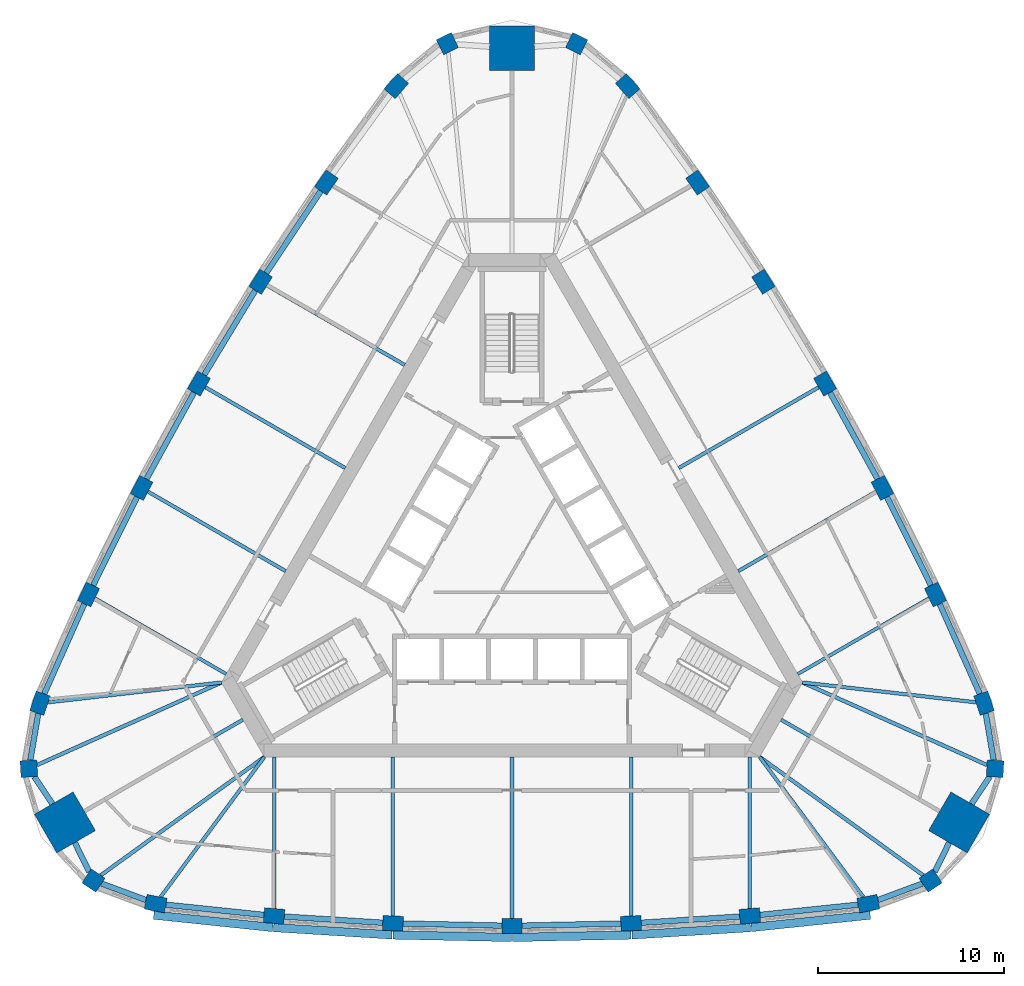
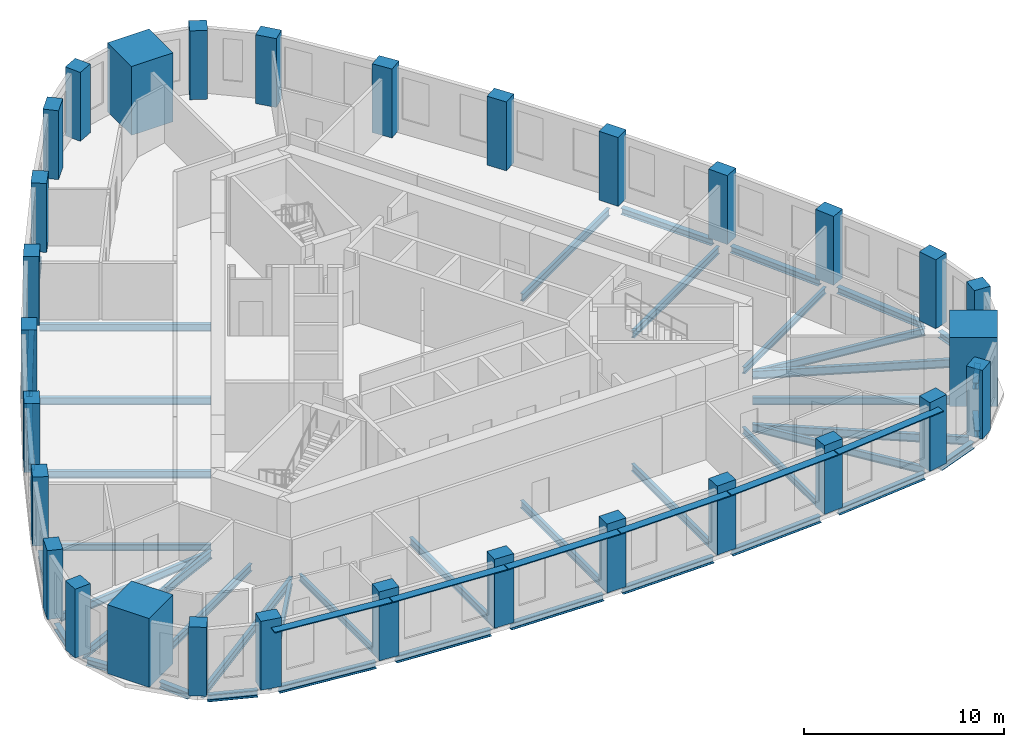
# One storey, part 1 of 10: 44 beams, 30 columns, 6 members.
"""IFC4 building model written with IfcOpenShell, lengths in metres."""

from ifc_helpers import new_model, si_unit, direction, frame, origin, origin_2d, place, context, subcontext, project, spatial, rectangle, i_section, extrude, material, material_profile, profile_set, type_object, element, save


model = new_model("IFC4")

# Units and contexts
model_context = context("Model", 3, precision=1e-05, world=origin(), true_north=direction((0.0, 1.0)))
body_context = subcontext(model_context, "Body", "Model", "MODEL_VIEW")
ifc_project = project(units=[si_unit("LENGTHUNIT", "METRE"), si_unit("AREAUNIT", "SQUARE_METRE"), si_unit("VOLUMEUNIT", "CUBIC_METRE"), si_unit("PLANEANGLEUNIT", "RADIAN"), si_unit("MASSUNIT", "GRAM", prefix="KILO")], contexts=[model_context])

# Site, building, storey
site_placement = place(None, origin())
site = spatial("IfcSite", under=ifc_project, at=site_placement, CompositionType="ELEMENT")
building_placement = place(site_placement, origin())
building = spatial("IfcBuilding", under=site, at=building_placement, Name="Mestral Congress Tower", CompositionType="ELEMENT")
storey_placement = place(building_placement, frame((0.0, 0.0, 247.800048828125)))
storey = spatial("IfcBuildingStorey", under=building, at=storey_placement, Name="L58", CompositionType="ELEMENT", Elevation=247.800048828125)

# Columns
ifc_material_1 = material(Name="Concrete C60/75", Category="concrete")
ifc_material_profile_1 = material_profile(ifc_material_1, rectangle(XDim=1.10009765625, YDim=0.800048828125, at=origin_2d()), Name="RC 1100x800")
ifc_profile_set_1 = profile_set([ifc_material_profile_1], Name="Concrete C60/75")
column_type_1 = type_object("IfcColumnType", Name="Column RC 1100x800 C60/75", PredefinedType="COLUMN", material=ifc_profile_set_1)
for number, where, z_axis, x_axis, name in (
    (1, (-19.150390625, -18.23681640625, 0.0), (0.0, 0.0, 1.0), (0.981324571854, -0.192359259395, 0.0), "COL-L58-C4-S00"),
    (2, (-12.785400390625, -18.899658203125, 0.0), (0.0, 0.0, 1.0), (0.996556680667, -0.082914306473, 0.0), "COL-L58-C4-S01"),
    (3, (-6.398193359375, -19.2978515625, 0.0), (0.0, 0.0, 1.0), (0.999138835542, -0.041492015025, 0.0), "COL-L58-C4-S02"),
    (4, (0.0, -19.4306640625, 0.0), (0.0, 0.0, 1.0), (1.0, 0.0, 0.0), "COL-L58-C4-S03"),
    (5, (6.398193359375, -19.2978515625, 0.0), (0.0, 0.0, 1.0), (0.999138835542, 0.041492015025, 0.0), "COL-L58-C4-S04"),
    (6, (12.785400390625, -18.899658203125, 0.0), (0.0, 0.0, 1.0), (0.996556680667, 0.082914306473, 0.0), "COL-L58-C4-S05"),
    (7, (19.150390625, -18.23681640625, 0.0), (0.0, 0.0, 1.0), (0.981324571854, 0.192359259395, 0.0), "COL-L58-C4-S06"),
    (8, (25.368896484375, -7.46630859375, 0.0), (0.0, 0.0, 1.0), (-0.324074280638, 0.946031638281, 0.0), "COL-L58-C4-E00"),
    (9, (22.76025390625, -1.62255859375, 0.0), (0.0, 0.0, 1.0), (-0.426472444591, 0.904500555005, 0.0), "COL-L58-C4-E01"),
    (10, (19.91162109375, 4.10791015625, 0.0), (0.0, 0.0, 1.0), (-0.463636278705, 0.886025621, 0.0), "COL-L58-C4-E02"),
    (11, (16.827392578125, 9.71533203125, 0.0), (0.0, 0.0, 1.0), (-0.5, 0.866025403784, 0.0), "COL-L58-C4-E03"),
    (12, (13.51318359375, 15.18994140625, 0.0), (0.0, 0.0, 1.0), (-0.535502556837, 0.844533605975, 0.0), "COL-L58-C4-E04"),
    (13, (9.974853515625, 20.522216796875, 0.0), (0.0, 0.0, 1.0), (-0.570084236076, 0.821586248532, 0.0), "COL-L58-C4-E05"),
    (14, (6.218505859375, 25.703125, 0.0), (0.0, 0.0, 1.0), (-0.657250291216, 0.753672378886, 0.0), "COL-L58-C4-E06"),
    (15, (-6.218505859375, 25.703125, 0.0), (0.0, 0.0, 1.0), (-0.657250291216, -0.753672378886, 0.0), "COL-L58-C4-W00"),
    (16, (-9.974853515625, 20.522216796875, 0.0), (0.0, 0.0, 1.0), (-0.570084236076, -0.821586248532, 0.0), "COL-L58-C4-W01"),
    (17, (-13.51318359375, 15.18994140625, 0.0), (0.0, 0.0, 1.0), (-0.535502556837, -0.844533605975, 0.0), "COL-L58-C4-W02"),
    (18, (-16.827392578125, 9.71533203125, 0.0), (0.0, 0.0, 1.0), (-0.5, -0.866025403784, 0.0), "COL-L58-C4-W03"),
    (19, (-19.91162109375, 4.10791015625, 0.0), (0.0, 0.0, 1.0), (-0.463636278705, -0.886025621, 0.0), "COL-L58-C4-W04"),
    (20, (-22.76025390625, -1.62255859375, 0.0), (0.0, 0.0, 1.0), (-0.426472444591, -0.904500555005, 0.0), "COL-L58-C4-W05"),
    (21, (-25.368896484375, -7.46630859375, 0.0), (0.0, 0.0, 1.0), (-0.324074280638, -0.946031638281, 0.0), "COL-L58-C4-W06"),
):
    element("IfcColumn", number, at=place(storey_placement, frame(where, z_axis=z_axis, x_axis=x_axis)), inside=storey, type_object=column_type_1, Name=name, PredefinedType="COLUMN", context=body_context, shape_type="SweptSolid", body=[
        extrude(rectangle(XDim=1.10009765625, YDim=0.800048828125, at=origin_2d()), origin(), (0.0, 0.0, 1.0), 4.199951171875),
    ])
ifc_material_profile_2 = material_profile(ifc_material_1, rectangle(XDim=0.89990234375, YDim=0.89990234375, at=origin_2d()), Name="RC 900x900")
ifc_profile_set_2 = profile_set([ifc_material_profile_2], Name="Concrete C60/75")
column_type_2 = type_object("IfcColumnType", Name="Column RC 900x900 C60/75", PredefinedType="COLUMN", material=ifc_profile_set_2)
for number, where, z_axis, x_axis, name in (
    (22, (22.494384765625, -16.99658203125, 0.0), (0.0, 0.0, 1.0), (0.833238868178, 0.552913183563, 0.0), "COL-L58-C4-SE1"),
    (23, (25.966552734375, -10.982421875, 0.0), (0.0, 0.0, 1.0), (0.062217428964, 0.998062619044, 0.0), "COL-L58-C4-SE3"),
    (24, (3.47216796875, 27.97900390625, 0.0), (0.0, 0.0, 1.0), (-0.895456297142, 0.445149435481, 0.0), "COL-L58-C4-N1"),
    (25, (-3.47216796875, 27.97900390625, 0.0), (0.0, 0.0, 1.0), (-0.895456297142, -0.445149435481, 0.0), "COL-L58-C4-N3"),
    (26, (-25.966552734375, -10.982421875, 0.0), (0.0, 0.0, 1.0), (0.062217428964, -0.998062619044, 0.0), "COL-L58-C4-SW1"),
    (27, (-22.494384765625, -16.99658203125, 0.0), (0.0, 0.0, 1.0), (0.833238868178, -0.552913183563, 0.0), "COL-L58-C4-SW3"),
):
    element("IfcColumn", number, at=place(storey_placement, frame(where, z_axis=z_axis, x_axis=x_axis)), inside=storey, type_object=column_type_2, Name=name, PredefinedType="COLUMN", context=body_context, shape_type="SweptSolid", body=[
        extrude(rectangle(XDim=0.89990234375, YDim=0.89990234375, at=origin_2d()), origin(), (0.0, 0.0, 1.0), 4.199951171875),
    ])
ifc_material_2 = material(Name="Concrete C70/85", Category="concrete")
ifc_material_profile_3 = material_profile(ifc_material_2, rectangle(XDim=2.39990234375, YDim=2.39990234375, at=origin_2d()), Name="RC 2400x2400")
ifc_profile_set_3 = profile_set([ifc_material_profile_3], Name="Concrete C70/85")
column_type_3 = type_object("IfcColumnType", Name="Mega column RC 2400x2400 C70/85", PredefinedType="COLUMN", material=ifc_profile_set_3)
for number, where, z_axis, x_axis, name in (
    (28, (24.02734375, -13.872314453125, 0.0), (0.0, 0.0, 1.0), (0.866025403784, -0.5, 0.0), "COL-L58-PY4-SE"),
    (29, (0.0, 27.744384765625, 0.0), (0.0, 0.0, 1.0), (0.0, 1.0, 0.0), "COL-L58-PY4-N"),
    (30, (-24.02734375, -13.872314453125, 0.0), (0.0, 0.0, 1.0), (-0.866025403784, -0.5, 0.0), "COL-L58-PY4-SW"),
):
    element("IfcColumn", number, at=place(storey_placement, frame(where, z_axis=z_axis, x_axis=x_axis)), inside=storey, type_object=column_type_3, Name=name, PredefinedType="COLUMN", context=body_context, shape_type="SweptSolid", body=[
        extrude(rectangle(XDim=2.39990234375, YDim=2.39990234375, at=origin_2d()), origin(), (0.0, 0.0, 1.0), 4.199951171875),
    ])

# Members
ifc_material_3 = material(Name="Glazed ceramic", Category="masonry")
ifc_material_profile_4 = material_profile(ifc_material_3, rectangle(XDim=0.449951171875, YDim=0.06005859375, at=origin_2d()), Name="Ceramic blade 450 x 60")
ifc_profile_set_4 = profile_set([ifc_material_profile_4], Name="Glazed ceramic")
member_type = type_object("IfcMemberType", Name="Facade sunshade blade 450 x 60", PredefinedType="USERDEFINED", material=ifc_profile_set_4)
member_1_placement = place(storey_placement, frame((-19.251708984375, -18.8544921875, 3.679931640625), z_axis=(0.994617919471, -0.103610782581, 0.0), x_axis=(0.103610782581, 0.994617919471, 0.0)))
element("IfcMember", 31, at=member_1_placement, inside=storey, type_object=member_type, Name="Sunshade F0-00", ObjectType="SUNSHADE", PredefinedType="USERDEFINED", context=body_context, shape_type="SweptSolid", body=[
    extrude(rectangle(XDim=0.449951171875, YDim=0.06005859375, at=origin_2d()), origin(), (0.0, 0.0, 1.0), 6.42578125),
])
member_2_placement = place(storey_placement, frame((-12.8134765625, -19.524169921875, 3.679931640625), z_axis=(0.99806373271, -0.062199561482, 0.0), x_axis=(0.062199561482, 0.99806373271, 0.0)))
element("IfcMember", 32, at=member_2_placement, inside=storey, type_object=member_type, Name="Sunshade F0-01", ObjectType="SUNSHADE", PredefinedType="USERDEFINED", context=body_context, shape_type="SweptSolid", body=[
    extrude(rectangle(XDim=0.449951171875, YDim=0.06005859375, at=origin_2d()), origin(), (0.0, 0.0, 1.0), 6.37841796875),
])
for number, where, z_axis, x_axis, name in (
    (33, (-6.400390625, -19.9228515625, 3.679931640625), (0.99978476383, -0.0207467109, 0.0), (0.0207467109, 0.99978476383, 0.0), "Sunshade F0-02"),
    (34, (0.023681640625, -20.05517578125, 3.679931640625), (0.99978476383, 0.0207467109, 0.0), (-0.0207467109, 0.99978476383, 0.0), "Sunshade F0-03"),
):
    element("IfcMember", number, at=place(storey_placement, frame(where, z_axis=z_axis, x_axis=x_axis)), inside=storey, type_object=member_type, Name=name, ObjectType="SUNSHADE", PredefinedType="USERDEFINED", context=body_context, shape_type="SweptSolid", body=[
        extrude(rectangle(XDim=0.449951171875, YDim=0.06005859375, at=origin_2d()), origin(), (0.0, 0.0, 1.0), 6.378173828125),
    ])
member_3_placement = place(storey_placement, frame((6.447509765625, -19.9208984375, 3.679931640625), z_axis=(0.99806373271, 0.062199561482, 0.0), x_axis=(-0.062199561482, 0.99806373271, 0.0)))
element("IfcMember", 35, at=member_3_placement, inside=storey, type_object=member_type, Name="Sunshade F0-04", ObjectType="SUNSHADE", PredefinedType="USERDEFINED", context=body_context, shape_type="SweptSolid", body=[
    extrude(rectangle(XDim=0.449951171875, YDim=0.06005859375, at=origin_2d()), origin(), (0.0, 0.0, 1.0), 6.37841796875),
])
member_4_placement = place(storey_placement, frame((12.860595703125, -19.520263671875, 3.679931640625), z_axis=(0.994617919471, 0.103610782581, 0.0), x_axis=(-0.103610782581, 0.994617919471, 0.0)))
element("IfcMember", 36, at=member_4_placement, inside=storey, type_object=member_type, Name="Sunshade F0-05", ObjectType="SUNSHADE", PredefinedType="USERDEFINED", context=body_context, shape_type="SweptSolid", body=[
    extrude(rectangle(XDim=0.449951171875, YDim=0.06005859375, at=origin_2d()), origin(), (0.0, 0.0, 1.0), 6.42578125),
])

# Beams
ifc_material_4 = material(Name="Steel S355", Category="steel")
ifc_material_profile_5 = material_profile(ifc_material_4, i_section(OverallWidth=0.179931640625, OverallDepth=0.39990234375, WebThickness=0.008544921875, FlangeThickness=0.013427734375, FilletRadius=0.02099609375, at=origin_2d()), Name="IPE 400")
ifc_profile_set_5 = profile_set([ifc_material_profile_5], Name="Steel S355")
beam_type_1 = type_object("IfcBeamType", Name="Floor beam IPE 400 S355", PredefinedType="BEAM", material=ifc_profile_set_5)
for number, where, z_axis, x_axis, name in (
    (37, (-12.785400390625, -18.498291015625, -0.449951171875), (0.0, 1.0, 0.0), (-1.0, 0.0, 0.0), "BM-L58-RB4-S01"),
    (38, (12.785400390625, -18.498291015625, -0.449951171875), (0.0, 1.0, 0.0), (-1.0, 0.0, 0.0), "BM-L58-RB4-S05"),
):
    element("IfcBeam", number, at=place(storey_placement, frame(where, z_axis=z_axis, x_axis=x_axis)), inside=storey, type_object=beam_type_1, Name=name, PredefinedType="BEAM", context=body_context, shape_type="SweptSolid", body=[
        extrude(i_section(OverallWidth=0.179931640625, OverallDepth=0.39990234375, WebThickness=0.008544921875, FlangeThickness=0.013427734375, FilletRadius=0.02099609375, at=origin_2d()), origin(), (0.0, 0.0, 1.0), 8.148193359375),
    ])
for number, where, z_axis, x_axis, name in (
    (39, (22.41259765625, -1.8232421875, -0.449951171875), (-0.866021929094, -0.500006018292, 0.0), (0.500006018292, -0.866021929094, 0.0), "BM-L58-RB4-E01"),
    (40, (-22.41259765625, -1.8232421875, -0.449951171875), (0.866021929094, -0.500006018292, 0.0), (0.500006018292, 0.866021929094, 0.0), "BM-L58-RB4-W05"),
):
    element("IfcBeam", number, at=place(storey_placement, frame(where, z_axis=z_axis, x_axis=x_axis)), inside=storey, type_object=beam_type_1, Name=name, PredefinedType="BEAM", context=body_context, shape_type="SweptSolid", body=[
        extrude(i_section(OverallWidth=0.179931640625, OverallDepth=0.39990234375, WebThickness=0.008544921875, FlangeThickness=0.013427734375, FilletRadius=0.02099609375, at=origin_2d()), origin(), (0.0, 0.0, 1.0), 8.1484375),
    ])
ifc_material_profile_6 = material_profile(ifc_material_4, i_section(OverallWidth=0.18994140625, OverallDepth=0.449951171875, WebThickness=0.009521484375, FlangeThickness=0.0146484375, FilletRadius=0.02099609375, at=origin_2d()), Name="IPE 450")
ifc_profile_set_6 = profile_set([ifc_material_profile_6], Name="Steel S355")
beam_type_2 = type_object("IfcBeamType", Name="Floor beam IPE 450 S355", PredefinedType="BEAM", material=ifc_profile_set_6)
beam_1_placement = place(storey_placement, frame((-18.88671875, -17.880859375, -0.47509765625), z_axis=(0.595263059859, 0.803530888994, 0.0), x_axis=(-0.803530888994, 0.595263059859, 0.0)))
element("IfcBeam", 41, at=beam_1_placement, inside=storey, type_object=beam_type_2, Name="BM-L58-RB4-S00", PredefinedType="BEAM", context=body_context, shape_type="SweptSolid", body=[
    extrude(i_section(OverallWidth=0.18994140625, OverallDepth=0.449951171875, WebThickness=0.009521484375, FlangeThickness=0.0146484375, FilletRadius=0.02099609375, at=origin_2d()), origin(), (0.0, 0.0, 1.0), 9.3720703125),
])
beam_2_placement = place(storey_placement, frame((-6.398193359375, -18.8974609375, -0.47509765625), z_axis=(0.0, 1.0, 0.0), x_axis=(-1.0, 0.0, 0.0)))
element("IfcBeam", 42, at=beam_2_placement, inside=storey, type_object=beam_type_2, Name="BM-L58-RB4-S02", PredefinedType="BEAM", context=body_context, shape_type="SweptSolid", body=[
    extrude(i_section(OverallWidth=0.18994140625, OverallDepth=0.449951171875, WebThickness=0.009521484375, FlangeThickness=0.0146484375, FilletRadius=0.02099609375, at=origin_2d()), origin(), (0.0, 0.0, 1.0), 8.54736328125),
])
beam_3_placement = place(storey_placement, frame((0.0, -19.030517578125, -0.47509765625), z_axis=(0.0, 1.0, 0.0), x_axis=(-1.0, 0.0, 0.0)))
element("IfcBeam", 43, at=beam_3_placement, inside=storey, type_object=beam_type_2, Name="BM-L58-RB4-S03", PredefinedType="BEAM", context=body_context, shape_type="SweptSolid", body=[
    extrude(i_section(OverallWidth=0.18994140625, OverallDepth=0.449951171875, WebThickness=0.009521484375, FlangeThickness=0.0146484375, FilletRadius=0.02099609375, at=origin_2d()), origin(), (0.0, 0.0, 1.0), 8.680419921875),
])
beam_4_placement = place(storey_placement, frame((6.398193359375, -18.8974609375, -0.47509765625), z_axis=(0.0, 1.0, 0.0), x_axis=(-1.0, 0.0, 0.0)))
element("IfcBeam", 44, at=beam_4_placement, inside=storey, type_object=beam_type_2, Name="BM-L58-RB4-S04", PredefinedType="BEAM", context=body_context, shape_type="SweptSolid", body=[
    extrude(i_section(OverallWidth=0.18994140625, OverallDepth=0.449951171875, WebThickness=0.009521484375, FlangeThickness=0.0146484375, FilletRadius=0.02099609375, at=origin_2d()), origin(), (0.0, 0.0, 1.0), 8.54736328125),
])
beam_5_placement = place(storey_placement, frame((18.88671875, -17.880859375, -0.47509765625), z_axis=(-0.595263059859, 0.803530888994, 0.0), x_axis=(-0.803530888994, -0.595263059859, 0.0)))
element("IfcBeam", 45, at=beam_5_placement, inside=storey, type_object=beam_type_2, Name="BM-L58-RB4-S06", PredefinedType="BEAM", context=body_context, shape_type="SweptSolid", body=[
    extrude(i_section(OverallWidth=0.18994140625, OverallDepth=0.449951171875, WebThickness=0.009521484375, FlangeThickness=0.0146484375, FilletRadius=0.02099609375, at=origin_2d()), origin(), (0.0, 0.0, 1.0), 9.3720703125),
])
beam_6_placement = place(storey_placement, frame((22.98828125, -13.272216796875, -0.47509765625), z_axis=(-0.866021631874, 0.500006533084, 0.0), x_axis=(-0.500006533084, -0.866021631874, 0.0)))
element("IfcBeam", 46, at=beam_6_placement, inside=storey, type_object=beam_type_2, Name="BM-L58-RB4-SE", PredefinedType="BEAM", context=body_context, shape_type="SweptSolid", body=[
    extrude(i_section(OverallWidth=0.18994140625, OverallDepth=0.449951171875, WebThickness=0.009521484375, FlangeThickness=0.0146484375, FilletRadius=0.02099609375, at=origin_2d()), origin(), (0.0, 0.0, 1.0), 9.844482421875),
])
beam_7_placement = place(storey_placement, frame((24.9287109375, -7.416015625, -0.47509765625), z_axis=(-0.99351166529, 0.11373025513, 0.0), x_axis=(-0.11373025513, -0.99351166529, 0.0)))
element("IfcBeam", 47, at=beam_7_placement, inside=storey, type_object=beam_type_2, Name="BM-L58-RB4-E00", PredefinedType="BEAM", context=body_context, shape_type="SweptSolid", body=[
    extrude(i_section(OverallWidth=0.18994140625, OverallDepth=0.449951171875, WebThickness=0.009521484375, FlangeThickness=0.0146484375, FilletRadius=0.02099609375, at=origin_2d()), origin(), (0.0, 0.0, 1.0), 9.372314453125),
])
beam_8_placement = place(storey_placement, frame((19.564697265625, 3.90771484375, -0.47509765625), z_axis=(-0.866028621479, -0.499994426748, 0.0), x_axis=(0.499994426748, -0.866028621479, 0.0)))
element("IfcBeam", 48, at=beam_8_placement, inside=storey, type_object=beam_type_2, Name="BM-L58-RB4-E02", PredefinedType="BEAM", context=body_context, shape_type="SweptSolid", body=[
    extrude(i_section(OverallWidth=0.18994140625, OverallDepth=0.449951171875, WebThickness=0.009521484375, FlangeThickness=0.0146484375, FilletRadius=0.02099609375, at=origin_2d()), origin(), (0.0, 0.0, 1.0), 8.54736328125),
])
beam_9_placement = place(storey_placement, frame((16.48095703125, 9.515380859375, -0.47509765625), z_axis=(-0.866022596503, -0.500004862322, 0.0), x_axis=(0.500004862322, -0.866022596503, 0.0)))
element("IfcBeam", 49, at=beam_9_placement, inside=storey, type_object=beam_type_2, Name="BM-L58-RB4-E03", PredefinedType="BEAM", context=body_context, shape_type="SweptSolid", body=[
    extrude(i_section(OverallWidth=0.18994140625, OverallDepth=0.449951171875, WebThickness=0.009521484375, FlangeThickness=0.0146484375, FilletRadius=0.02099609375, at=origin_2d()), origin(), (0.0, 0.0, 1.0), 8.6806640625),
])
beam_10_placement = place(storey_placement, frame((-13.16650390625, 14.98974609375, -0.47509765625), z_axis=(0.866028621479, -0.499994426748, 0.0), x_axis=(0.499994426748, 0.866028621479, 0.0)))
element("IfcBeam", 50, at=beam_10_placement, inside=storey, type_object=beam_type_2, Name="BM-L58-RB4-W02", PredefinedType="BEAM", context=body_context, shape_type="SweptSolid", body=[
    extrude(i_section(OverallWidth=0.18994140625, OverallDepth=0.449951171875, WebThickness=0.009521484375, FlangeThickness=0.0146484375, FilletRadius=0.02099609375, at=origin_2d()), origin(), (0.0, 0.0, 1.0), 8.54736328125),
])
beam_11_placement = place(storey_placement, frame((-16.48095703125, 9.515380859375, -0.47509765625), z_axis=(0.866022596503, -0.500004862322, 0.0), x_axis=(0.500004862322, 0.866022596503, 0.0)))
element("IfcBeam", 51, at=beam_11_placement, inside=storey, type_object=beam_type_2, Name="BM-L58-RB4-W03", PredefinedType="BEAM", context=body_context, shape_type="SweptSolid", body=[
    extrude(i_section(OverallWidth=0.18994140625, OverallDepth=0.449951171875, WebThickness=0.009521484375, FlangeThickness=0.0146484375, FilletRadius=0.02099609375, at=origin_2d()), origin(), (0.0, 0.0, 1.0), 8.6806640625),
])
beam_12_placement = place(storey_placement, frame((-19.564697265625, 3.90771484375, -0.47509765625), z_axis=(0.866028621479, -0.499994426748, 0.0), x_axis=(0.499994426748, 0.866028621479, 0.0)))
element("IfcBeam", 52, at=beam_12_placement, inside=storey, type_object=beam_type_2, Name="BM-L58-RB4-W04", PredefinedType="BEAM", context=body_context, shape_type="SweptSolid", body=[
    extrude(i_section(OverallWidth=0.18994140625, OverallDepth=0.449951171875, WebThickness=0.009521484375, FlangeThickness=0.0146484375, FilletRadius=0.02099609375, at=origin_2d()), origin(), (0.0, 0.0, 1.0), 8.54736328125),
])
beam_13_placement = place(storey_placement, frame((-24.9287109375, -7.416015625, -0.47509765625), z_axis=(0.99351166529, 0.11373025513, 0.0), x_axis=(-0.11373025513, 0.99351166529, 0.0)))
element("IfcBeam", 53, at=beam_13_placement, inside=storey, type_object=beam_type_2, Name="BM-L58-RB4-W06", PredefinedType="BEAM", context=body_context, shape_type="SweptSolid", body=[
    extrude(i_section(OverallWidth=0.18994140625, OverallDepth=0.449951171875, WebThickness=0.009521484375, FlangeThickness=0.0146484375, FilletRadius=0.02099609375, at=origin_2d()), origin(), (0.0, 0.0, 1.0), 9.372314453125),
])
beam_14_placement = place(storey_placement, frame((-22.98828125, -13.272216796875, -0.47509765625), z_axis=(0.866021631874, 0.500006533084, 0.0), x_axis=(-0.500006533084, 0.866021631874, 0.0)))
element("IfcBeam", 54, at=beam_14_placement, inside=storey, type_object=beam_type_2, Name="BM-L58-RB4-SW", PredefinedType="BEAM", context=body_context, shape_type="SweptSolid", body=[
    extrude(i_section(OverallWidth=0.18994140625, OverallDepth=0.449951171875, WebThickness=0.009521484375, FlangeThickness=0.0146484375, FilletRadius=0.02099609375, at=origin_2d()), origin(), (0.0, 0.0, 1.0), 9.844482421875),
])
ifc_material_profile_7 = material_profile(ifc_material_4, i_section(OverallWidth=0.199951171875, OverallDepth=0.5, WebThickness=0.01025390625, FlangeThickness=0.01611328125, FilletRadius=0.02099609375, at=origin_2d()), Name="IPE 500")
ifc_profile_set_7 = profile_set([ifc_material_profile_7], Name="Steel S355")
beam_type_3 = type_object("IfcBeamType", Name="Floor beam IPE 500 S355", PredefinedType="BEAM", material=ifc_profile_set_7)
beam_15_placement = place(storey_placement, frame((22.10498046875, -16.71484375, -0.5), z_axis=(-0.810186242112, 0.586172545496, 0.0), x_axis=(-0.586172545496, -0.810186242112, 0.0)))
element("IfcBeam", 55, at=beam_15_placement, inside=storey, type_object=beam_type_3, Name="BM-L58-RB4-SE1", PredefinedType="BEAM", context=body_context, shape_type="SweptSolid", body=[
    extrude(i_section(OverallWidth=0.199951171875, OverallDepth=0.5, WebThickness=0.01025390625, FlangeThickness=0.01611328125, FilletRadius=0.02099609375, at=origin_2d()), origin(), (0.0, 0.0, 1.0), 10.858154296875),
])
for number, where, z_axis, x_axis, name in (
    (56, (25.528076171875, -10.7861328125, -0.5), (-0.912742142995, 0.408536143323, 0.0), (-0.408536143323, -0.912742142995, 0.0), "BM-L58-RB4-SE3"),
    (57, (-25.528076171875, -10.7861328125, -0.5), (0.912742142995, 0.408536143323, 0.0), (-0.408536143323, 0.912742142995, 0.0), "BM-L58-RB4-SW1"),
):
    element("IfcBeam", number, at=place(storey_placement, frame(where, z_axis=z_axis, x_axis=x_axis)), inside=storey, type_object=beam_type_3, Name=name, PredefinedType="BEAM", context=body_context, shape_type="SweptSolid", body=[
        extrude(i_section(OverallWidth=0.199951171875, OverallDepth=0.5, WebThickness=0.01025390625, FlangeThickness=0.01611328125, FilletRadius=0.02099609375, at=origin_2d()), origin(), (0.0, 0.0, 1.0), 10.8583984375),
    ])
beam_16_placement = place(storey_placement, frame((-22.10498046875, -16.71484375, -0.5), z_axis=(0.810186242112, 0.586172545496, 0.0), x_axis=(-0.586172545496, 0.810186242112, 0.0)))
element("IfcBeam", 58, at=beam_16_placement, inside=storey, type_object=beam_type_3, Name="BM-L58-RB4-SW3", PredefinedType="BEAM", context=body_context, shape_type="SweptSolid", body=[
    extrude(i_section(OverallWidth=0.199951171875, OverallDepth=0.5, WebThickness=0.01025390625, FlangeThickness=0.01611328125, FilletRadius=0.02099609375, at=origin_2d()), origin(), (0.0, 0.0, 1.0), 10.858154296875),
])
ifc_material_profile_8 = material_profile(ifc_material_4, i_section(OverallWidth=0.300048828125, OverallDepth=0.389892578125, WebThickness=0.010986328125, FlangeThickness=0.01904296875, FilletRadius=0.027099609375, at=origin_2d()), Name="HEA 400")
ifc_profile_set_8 = profile_set([ifc_material_profile_8], Name="Steel S355")
beam_type_4 = type_object("IfcBeamType", Name="Spandrel beam HEA 400 S355", PredefinedType="BEAM", material=ifc_profile_set_8)
beam_17_placement = place(storey_placement, frame((-18.60107421875, -18.2939453125, -0.445068359375), z_axis=(0.994618013093, -0.103609883848, 0.0), x_axis=(0.103609883848, 0.994618013093, 0.0)))
element("IfcBeam", 59, at=beam_17_placement, inside=storey, type_object=beam_type_4, Name="SP-L58-SB4-S00", PredefinedType="BEAM", context=body_context, shape_type="SweptSolid", body=[
    extrude(i_section(OverallWidth=0.300048828125, OverallDepth=0.389892578125, WebThickness=0.010986328125, FlangeThickness=0.01904296875, FilletRadius=0.027099609375, at=origin_2d()), origin(), (0.0, 0.0, 1.0), 5.297119140625),
])
for number, where, z_axis, x_axis, name in (
    (60, (-12.236328125, -18.933837890625, -0.445068359375), (0.998061173507, -0.062240613248, 0.0), (0.062240613248, 0.998061173507, 0.0), "SP-L58-SB4-S01"),
    (61, (-5.84814453125, -19.309326171875, -0.445068359375), (0.999785070758, -0.020731914743, 0.0), (0.020731914743, 0.999785070758, 0.0), "SP-L58-SB4-S02"),
    (62, (0.550048828125, -19.419189453125, -0.445068359375), (0.999785070758, 0.020731914743, 0.0), (-0.020731914743, 0.999785070758, 0.0), "SP-L58-SB4-S03"),
    (63, (6.947265625, -19.263671875, -0.445068359375), (0.998061173507, 0.062240613248, 0.0), (-0.062240613248, 0.998061173507, 0.0), "SP-L58-SB4-S04"),
):
    element("IfcBeam", number, at=place(storey_placement, frame(where, z_axis=z_axis, x_axis=x_axis)), inside=storey, type_object=beam_type_4, Name=name, PredefinedType="BEAM", context=body_context, shape_type="SweptSolid", body=[
        extrude(i_section(OverallWidth=0.300048828125, OverallDepth=0.389892578125, WebThickness=0.010986328125, FlangeThickness=0.01904296875, FilletRadius=0.027099609375, at=origin_2d()), origin(), (0.0, 0.0, 1.0), 5.29931640625),
    ])
beam_18_placement = place(storey_placement, frame((13.33251953125, -18.8427734375, -0.445068359375), z_axis=(0.994618013093, 0.103609883848, 0.0), x_axis=(-0.103609883848, 0.994618013093, 0.0)))
element("IfcBeam", 64, at=beam_18_placement, inside=storey, type_object=beam_type_4, Name="SP-L58-SB4-S05", PredefinedType="BEAM", context=body_context, shape_type="SweptSolid", body=[
    extrude(i_section(OverallWidth=0.300048828125, OverallDepth=0.389892578125, WebThickness=0.010986328125, FlangeThickness=0.01904296875, FilletRadius=0.027099609375, at=origin_2d()), origin(), (0.0, 0.0, 1.0), 5.297119140625),
])
beam_19_placement = place(storey_placement, frame((19.6728515625, -18.04296875, -0.445068359375), z_axis=(0.937591421971, 0.347738875374, 0.0), x_axis=(-0.347738875374, 0.937591421971, 0.0)))
element("IfcBeam", 65, at=beam_19_placement, inside=storey, type_object=beam_type_4, Name="SP-L58-SB4-S06", PredefinedType="BEAM", context=body_context, shape_type="SweptSolid", body=[
    extrude(i_section(OverallWidth=0.300048828125, OverallDepth=0.389892578125, WebThickness=0.010986328125, FlangeThickness=0.01904296875, FilletRadius=0.027099609375, at=origin_2d()), origin(), (0.0, 0.0, 1.0), 2.547119140625),
])
for number, where, z_axis, x_axis, name in (
    (66, (22.723876953125, -16.528564453125, -0.445068359375), (0.440528581483, 0.897738586058, 0.0), (-0.897738586058, 0.440528581483, 0.0), "SP-L58-SB4-SE1"),
    (67, (24.697509765625, -12.87353515625, -0.445068359375), (0.557295931564, 0.830313943435, 0.0), (-0.830313943435, 0.557295931564, 0.0), "SP-L58-SB4-SE"),
):
    element("IfcBeam", number, at=place(storey_placement, frame(where, z_axis=z_axis, x_axis=x_axis)), inside=storey, type_object=beam_type_4, Name=name, PredefinedType="BEAM", context=body_context, shape_type="SweptSolid", body=[
        extrude(i_section(OverallWidth=0.300048828125, OverallDepth=0.389892578125, WebThickness=0.010986328125, FlangeThickness=0.01904296875, FilletRadius=0.027099609375, at=origin_2d()), origin(), (0.0, 0.0, 1.0), 1.75634765625),
    ])
beam_20_placement = place(storey_placement, frame((25.88916015625, -10.52685546875, -0.445068359375), z_axis=(-0.167630891496, 0.98584982843, 0.0), x_axis=(-0.98584982843, -0.167630891496, 0.0)))
element("IfcBeam", 68, at=beam_20_placement, inside=storey, type_object=beam_type_4, Name="SP-L58-SB4-SE3", PredefinedType="BEAM", context=body_context, shape_type="SweptSolid", body=[
    extrude(i_section(OverallWidth=0.300048828125, OverallDepth=0.389892578125, WebThickness=0.010986328125, FlangeThickness=0.01904296875, FilletRadius=0.027099609375, at=origin_2d()), origin(), (0.0, 0.0, 1.0), 2.54736328125),
])
beam_21_placement = place(storey_placement, frame((25.143798828125, -6.9619140625, -0.445068359375), z_axis=(-0.407626134336, 0.913148911518, 0.0), x_axis=(-0.913148911518, -0.407626134336, 0.0)))
element("IfcBeam", 69, at=beam_21_placement, inside=storey, type_object=beam_type_4, Name="SP-L58-SB4-E00", PredefinedType="BEAM", context=body_context, shape_type="SweptSolid", body=[
    extrude(i_section(OverallWidth=0.300048828125, OverallDepth=0.389892578125, WebThickness=0.010986328125, FlangeThickness=0.01904296875, FilletRadius=0.027099609375, at=origin_2d()), origin(), (0.0, 0.0, 1.0), 5.296875),
])
beam_22_placement = place(storey_placement, frame((22.515380859375, -1.1298828125, -0.445068359375), z_axis=(-0.445148375831, 0.895456823914, 0.0), x_axis=(-0.895456823914, -0.445148375831, 0.0)))
element("IfcBeam", 70, at=beam_22_placement, inside=storey, type_object=beam_type_4, Name="SP-L58-SB4-E01", PredefinedType="BEAM", context=body_context, shape_type="SweptSolid", body=[
    extrude(i_section(OverallWidth=0.300048828125, OverallDepth=0.389892578125, WebThickness=0.010986328125, FlangeThickness=0.01904296875, FilletRadius=0.027099609375, at=origin_2d()), origin(), (0.0, 0.0, 1.0), 5.299072265625),
])
beam_23_placement = place(storey_placement, frame((19.646484375, 4.58984375, -0.445068359375), z_axis=(-0.481918749772, 0.876215908677, 0.0), x_axis=(-0.876215908677, -0.481918749772, 0.0)))
element("IfcBeam", 71, at=beam_23_placement, inside=storey, type_object=beam_type_4, Name="SP-L58-SB4-E02", PredefinedType="BEAM", context=body_context, shape_type="SweptSolid", body=[
    extrude(i_section(OverallWidth=0.300048828125, OverallDepth=0.389892578125, WebThickness=0.010986328125, FlangeThickness=0.01904296875, FilletRadius=0.027099609375, at=origin_2d()), origin(), (0.0, 0.0, 1.0), 5.299560546875),
])
for number, where, z_axis, x_axis, name in (
    (72, (-10.279052734375, 20.063720703125, -0.445068359375), (-0.552934106774, -0.833224983762, 0.0), (0.833224983762, -0.552934106774, 0.0), "SP-L58-SB4-W01"),
    (73, (-13.798095703125, 14.71923828125, -0.445068359375), (-0.517865676042, -0.855461946306, 0.0), (0.855461946306, -0.517865676042, 0.0), "SP-L58-SB4-W02"),
):
    element("IfcBeam", number, at=place(storey_placement, frame(where, z_axis=z_axis, x_axis=x_axis)), inside=storey, type_object=beam_type_4, Name=name, PredefinedType="BEAM", context=body_context, shape_type="SweptSolid", body=[
        extrude(i_section(OverallWidth=0.300048828125, OverallDepth=0.389892578125, WebThickness=0.010986328125, FlangeThickness=0.01904296875, FilletRadius=0.027099609375, at=origin_2d()), origin(), (0.0, 0.0, 1.0), 5.29931640625),
    ])
beam_24_placement = place(storey_placement, frame((-17.092529296875, 9.2333984375, -0.445068359375), z_axis=(-0.481918749772, -0.876215908677, 0.0), x_axis=(0.876215908677, -0.481918749772, 0.0)))
element("IfcBeam", 74, at=beam_24_placement, inside=storey, type_object=beam_type_4, Name="SP-L58-SB4-W03", PredefinedType="BEAM", context=body_context, shape_type="SweptSolid", body=[
    extrude(i_section(OverallWidth=0.300048828125, OverallDepth=0.389892578125, WebThickness=0.010986328125, FlangeThickness=0.01904296875, FilletRadius=0.027099609375, at=origin_2d()), origin(), (0.0, 0.0, 1.0), 5.299560546875),
])
beam_25_placement = place(storey_placement, frame((-20.156494140625, 3.615234375, -0.445068359375), z_axis=(-0.445148375831, -0.895456823914, 0.0), x_axis=(0.895456823914, -0.445148375831, 0.0)))
element("IfcBeam", 75, at=beam_25_placement, inside=storey, type_object=beam_type_4, Name="SP-L58-SB4-W04", PredefinedType="BEAM", context=body_context, shape_type="SweptSolid", body=[
    extrude(i_section(OverallWidth=0.300048828125, OverallDepth=0.389892578125, WebThickness=0.010986328125, FlangeThickness=0.01904296875, FilletRadius=0.027099609375, at=origin_2d()), origin(), (0.0, 0.0, 1.0), 5.299072265625),
])
beam_26_placement = place(storey_placement, frame((-22.984619140625, -2.125, -0.445068359375), z_axis=(-0.407626134336, -0.913148911518, 0.0), x_axis=(0.913148911518, -0.407626134336, 0.0)))
element("IfcBeam", 76, at=beam_26_placement, inside=storey, type_object=beam_type_4, Name="SP-L58-SB4-W05", PredefinedType="BEAM", context=body_context, shape_type="SweptSolid", body=[
    extrude(i_section(OverallWidth=0.300048828125, OverallDepth=0.389892578125, WebThickness=0.010986328125, FlangeThickness=0.01904296875, FilletRadius=0.027099609375, at=origin_2d()), origin(), (0.0, 0.0, 1.0), 5.296875),
])
beam_27_placement = place(storey_placement, frame((-25.462158203125, -8.015625, -0.445068359375), z_axis=(-0.167630891496, -0.98584982843, 0.0), x_axis=(0.98584982843, -0.167630891496, 0.0)))
element("IfcBeam", 77, at=beam_27_placement, inside=storey, type_object=beam_type_4, Name="SP-L58-SB4-W06", PredefinedType="BEAM", context=body_context, shape_type="SweptSolid", body=[
    extrude(i_section(OverallWidth=0.300048828125, OverallDepth=0.389892578125, WebThickness=0.010986328125, FlangeThickness=0.01904296875, FilletRadius=0.027099609375, at=origin_2d()), origin(), (0.0, 0.0, 1.0), 2.54736328125),
])
for number, where, z_axis, x_axis, name in (
    (78, (-25.67626953125, -11.415283203125, -0.445068359375), (0.557295931564, -0.830313943435, 0.0), (0.830313943435, 0.557295931564, 0.0), "SP-L58-SB4-SW1"),
    (79, (-23.49755859375, -14.951904296875, -0.445068359375), (0.440528581483, -0.897738586058, 0.0), (0.897738586058, 0.440528581483, 0.0), "SP-L58-SB4-SW"),
):
    element("IfcBeam", number, at=place(storey_placement, frame(where, z_axis=z_axis, x_axis=x_axis)), inside=storey, type_object=beam_type_4, Name=name, PredefinedType="BEAM", context=body_context, shape_type="SweptSolid", body=[
        extrude(i_section(OverallWidth=0.300048828125, OverallDepth=0.389892578125, WebThickness=0.010986328125, FlangeThickness=0.01904296875, FilletRadius=0.027099609375, at=origin_2d()), origin(), (0.0, 0.0, 1.0), 1.75634765625),
    ])
beam_28_placement = place(storey_placement, frame((-22.06103515625, -17.1572265625, -0.445068359375), z_axis=(0.937591421971, -0.347738875374, 0.0), x_axis=(0.347738875374, 0.937591421971, 0.0)))
element("IfcBeam", 80, at=beam_28_placement, inside=storey, type_object=beam_type_4, Name="SP-L58-SB4-SW3", PredefinedType="BEAM", context=body_context, shape_type="SweptSolid", body=[
    extrude(i_section(OverallWidth=0.300048828125, OverallDepth=0.389892578125, WebThickness=0.010986328125, FlangeThickness=0.01904296875, FilletRadius=0.027099609375, at=origin_2d()), origin(), (0.0, 0.0, 1.0), 2.547119140625),
])

save(model, "model.ifc")
